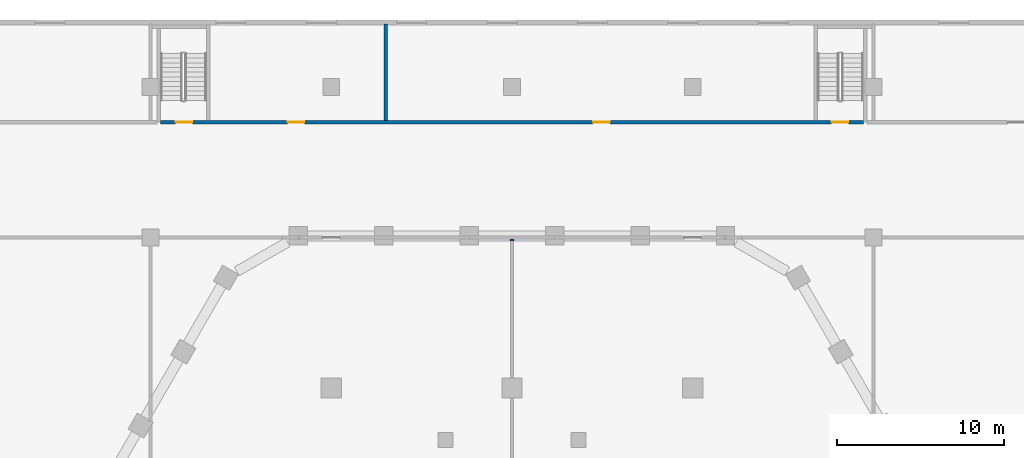
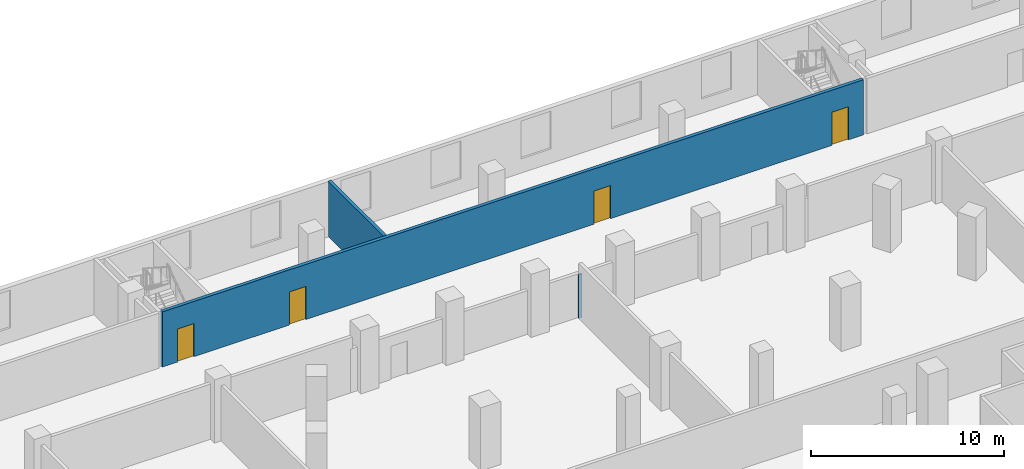
# One storey, part 19 of 45: 4 doors, 3 walls, 4 openings.
"""IFC4 building model written with IfcOpenShell, lengths in metres."""

import ifcopenshell
import ifcopenshell.guid

model = None  # the IFC model being written
_history = None  # IfcOwnerHistory: only IFC2X3 demands one
_inside = {}  # id of a spatial element -> (the spatial element, [elements in it])
_under = {}  # id of a project, library or spatial element -> (it, [spatial elements below it])
_declared = {}  # id of a project -> (the project, [libraries it declares])
_typed = {}  # id of a type object -> (the type object, [elements of that type])
_made_of = {}  # id of a material, layer set ... -> (it, [elements and type objects made of it])


def new_model(schema):
    """Start an empty IFC model of exactly this schema.

    Asked for "IFC4X3", IfcOpenShell would pick the latest addendum, in which some entities
    have other attributes; the version numbers below select the first issue.
    IFC2X3 requires an IfcOwnerHistory on every rooted entity: one is made here for all.
    """
    global model, _history
    if schema == "IFC4X3":
        model = ifcopenshell.file(schema_version=(4, 3, 0, 0))
    else:
        model = ifcopenshell.file(schema=schema)
    _inside.clear()
    _under.clear()
    _declared.clear()
    _typed.clear()
    _made_of.clear()
    _history = None
    if model.schema == "IFC2X3":
        org = make("IfcOrganization", Name="unknown")
        user = make(
            "IfcPersonAndOrganization",
            ThePerson=make("IfcPerson", FamilyName="unknown"),
            TheOrganization=org,
        )
        app = make(
            "IfcApplication",
            ApplicationDeveloper=org,
            Version="unknown",
            ApplicationFullName="unknown",
            ApplicationIdentifier="unknown",
        )
        _history = make(
            "IfcOwnerHistory",
            OwningUser=user,
            OwningApplication=app,
            ChangeAction="ADDED",
            CreationDate=0,
        )
    return model


def make(cls, **values):
    """One entity of the class cls with the attributes given. An attribute that is None is left unset."""
    return model.create_entity(
        cls, **{name: value for name, value in values.items() if value is not None}
    )


def rooted(cls, **values):
    """An entity with a GlobalId (a new one), such as an element, a storey or a relation."""
    return make(cls, GlobalId=ifcopenshell.guid.new(), OwnerHistory=_history, **values)


def si_unit(unit_type, name, prefix=None):
    """IfcSIUnit, for example si_unit("LENGTHUNIT", "METRE", prefix="MILLI")."""
    return make("IfcSIUnit", UnitType=unit_type, Prefix=prefix, Name=name)


def assignment(units):
    """IfcUnitAssignment: the units of a project."""
    return None if units is None else make("IfcUnitAssignment", Units=units)


def point(xyz):
    """IfcCartesianPoint."""
    return None if xyz is None else make("IfcCartesianPoint", Coordinates=xyz)


def direction(xyz):
    """IfcDirection."""
    return None if xyz is None else make("IfcDirection", DirectionRatios=xyz)


def frame(location, z_axis=None, x_axis=None):
    """IfcAxis2Placement3D, a coordinate frame: its origin and axes. An axis left out is left unset."""
    return make(
        "IfcAxis2Placement3D",
        Location=point(location),
        Axis=direction(z_axis),
        RefDirection=direction(x_axis),
    )


def frame_2d(location, x_axis=None):
    """IfcAxis2Placement2D, a coordinate frame in the plane: its origin and x axis."""
    return make(
        "IfcAxis2Placement2D", Location=point(location), RefDirection=direction(x_axis)
    )


def origin():
    """The frame at (0, 0, 0) with its axes left unset."""
    return frame((0.0, 0.0, 0.0))


def place(relative_to, where):
    """IfcLocalPlacement: puts the frame where relative to a parent placement (None: the world)."""
    return make(
        "IfcLocalPlacement", PlacementRelTo=relative_to, RelativePlacement=where
    )


def context(
    kind, dimensions, precision=None, world=None, true_north=None, identifier=None
):
    """IfcGeometricRepresentationContext, for example the 3D "Model" context."""
    return make(
        "IfcGeometricRepresentationContext",
        ContextIdentifier=identifier,
        ContextType=kind,
        CoordinateSpaceDimension=dimensions,
        Precision=precision,
        WorldCoordinateSystem=world,
        TrueNorth=true_north,
    )


def subcontext(parent, identifier, kind, view, scale=None):
    """IfcGeometricRepresentationSubContext, for example "Body" below "Model"."""
    return make(
        "IfcGeometricRepresentationSubContext",
        ContextIdentifier=identifier,
        ContextType=kind,
        ParentContext=parent,
        TargetScale=scale,
        TargetView=view,
    )


def project(units=None, contexts=None):
    """IfcProject with its units and contexts."""
    return rooted(
        "IfcProject",
        Name="project",
        RepresentationContexts=contexts,
        UnitsInContext=assignment(units),
    )


def spatial(cls, under=None, at=None, **own):
    """A site, building, storey or space (cls), placed at a placement, below another one or the project."""
    s = rooted(cls, ObjectPlacement=at, **own)
    if under is not None:
        _under.setdefault(under.id(), (under, []))[1].append(s)
    return s


def profile(cls, at=None, kind="AREA", **sizes):
    """A parametric profile (cls). Its sizes go by their IFC names, for example OverallWidth=200.0."""
    return make(cls, ProfileType=kind, Position=at, **sizes)


def rectangle(**sizes):
    """IfcRectangleProfileDef."""
    return profile("IfcRectangleProfileDef", **sizes)


def extrude(swept, where, along, depth):
    """IfcExtrudedAreaSolid: the profile swept, set in the frame where, extruded along a direction by depth."""
    return make(
        "IfcExtrudedAreaSolid",
        SweptArea=swept,
        Position=where,
        ExtrudedDirection=direction(along),
        Depth=depth,
    )


def shape(context_of_items, identifier, shape_type, items):
    """IfcShapeRepresentation: the items that make up one representation, for example the "Body"."""
    return make(
        "IfcShapeRepresentation",
        ContextOfItems=context_of_items,
        RepresentationIdentifier=identifier,
        RepresentationType=shape_type,
        Items=items,
    )


def material(Name=None, Category=None):
    """IfcMaterial."""
    return make("IfcMaterial", Name=Name, Category=Category)


def layer(
    of_material, thickness, ventilated=None, Name=None, Category=None, Priority=None
):
    """IfcMaterialLayer: one layer of a wall or slab, of a material (None: an air gap)."""
    return make(
        "IfcMaterialLayer",
        Material=of_material,
        LayerThickness=thickness,
        IsVentilated=ventilated,
        Name=Name,
        Category=Category,
        Priority=Priority,
    )


def layer_set(layers, Name=None):
    """IfcMaterialLayerSet."""
    return make("IfcMaterialLayerSet", MaterialLayers=layers, LayerSetName=Name)


def made_of(thing, what):
    """Note that an element or type object is made of a material, layer set ...; save() writes the relation."""
    if what is not None:
        _made_of.setdefault(what.id(), (what, []))[1].append(thing)
    return thing


def type_object(cls, material=None, **own):
    """A type object (cls), such as IfcWallType, which elements share."""
    return made_of(rooted(cls, **own), material)


def element(
    cls,
    number,
    at=None,
    inside=None,
    cuts=None,
    type_object=None,
    material=None,
    context=None,
    identifier="Body",
    shape_type=None,
    held_by="IfcProductDefinitionShape",
    body=None,
    shapes=None,
    **own,
):
    """One element of the class cls, such as IfcWall. Its Tag is "e" and its number.

    at: its placement. inside: the storey or other place that contains it. cuts: it is an
    opening in that element (IfcRelVoidsElement). A single representation is given by context,
    identifier, shape_type and body (its items); several are given by shapes. held_by: the class
    of the entity that holds the representations. save() writes the other relations.
    """
    e = rooted(cls, Tag="e%d" % number, ObjectPlacement=at, **own)
    if body is not None:
        shapes = [shape(context, identifier, shape_type, body)]
    if shapes is not None:
        e.Representation = make(held_by, Representations=shapes)
    if inside is not None:
        _inside.setdefault(inside.id(), (inside, []))[1].append(e)
    if cuts is not None:
        rooted(
            "IfcRelVoidsElement", RelatingBuildingElement=cuts, RelatedOpeningElement=e
        )
    if type_object is not None:
        _typed.setdefault(type_object.id(), (type_object, []))[1].append(e)
    return made_of(e, material)


def fill(opening, filler):
    """IfcRelFillsElement: the door or window that sits in an opening."""
    return rooted(
        "IfcRelFillsElement",
        RelatingOpeningElement=opening,
        RelatedBuildingElement=filler,
    )


def aggregate(whole, parts):
    """IfcRelAggregates: a whole, such as a stair, and the parts it consists of."""
    return rooted("IfcRelAggregates", RelatingObject=whole, RelatedObjects=parts)


def save(model, path):
    """Write the relations noted so far, then the file.

    IfcRelAggregates (storeys below a building ...), IfcRelContainedInSpatialStructure (elements
    in a storey), IfcRelDefinesByType, IfcRelAssociatesMaterial and IfcRelDeclares: one each for
    every whole, place, type object, material and project.
    """
    for whole, parts in _under.values():
        aggregate(whole, parts)
    for where, things in _inside.values():
        rooted(
            "IfcRelContainedInSpatialStructure",
            RelatedElements=things,
            RelatingStructure=where,
        )
    for kind, things in _typed.values():
        rooted("IfcRelDefinesByType", RelatedObjects=things, RelatingType=kind)
    for what, things in _made_of.values():
        rooted("IfcRelAssociatesMaterial", RelatedObjects=things, RelatingMaterial=what)
    for by, libraries in _declared.values():
        rooted("IfcRelDeclares", RelatingContext=by, RelatedDefinitions=libraries)
    model.write(path)


model = new_model("IFC4")

# Units and contexts
model_context = context("Model", 3, precision=1e-05, world=origin(), true_north=direction((0.0, 1.0)))
body_context = subcontext(model_context, "Body", "Model", "MODEL_VIEW")
ifc_project = project(units=[si_unit("LENGTHUNIT", "METRE"), si_unit("AREAUNIT", "SQUARE_METRE"), si_unit("VOLUMEUNIT", "CUBIC_METRE"), si_unit("PLANEANGLEUNIT", "RADIAN"), si_unit("MASSUNIT", "GRAM", prefix="KILO")], contexts=[model_context])

# Site, building, storey
site_placement = place(None, origin())
site = spatial("IfcSite", under=ifc_project, at=site_placement, CompositionType="ELEMENT")
building_placement = place(site_placement, origin())
building = spatial("IfcBuilding", under=site, at=building_placement, Name="Beryl Residences", CompositionType="ELEMENT")
storey_placement = place(building_placement, frame((0.0, 0.0, 5.0)))
storey = spatial("IfcBuildingStorey", under=building, at=storey_placement, Name="L01", CompositionType="ELEMENT", Elevation=5.0)

# Walls
ifc_material_1 = material(Name="Double stud gypsum board wall")
ifc_layer_1 = layer(ifc_material_1, 0.199951171875)
ifc_layer_set_1 = layer_set([ifc_layer_1], Name="PT10 tenancy wall 200 mm")
wall_type_1 = type_object("IfcWallType", Name="PT10 tenancy wall 200 mm", PredefinedType="PARTITIONING", material=ifc_layer_set_1)
wall_1_placement = place(storey_placement, frame((-7.550048828125, 34.0, 0.0), z_axis=(0.0, 0.0, 1.0), x_axis=(0.0, 1.0, 0.0)))
element("IfcWall", 1, at=wall_1_placement, inside=storey, type_object=wall_type_1, Name="Wall PT10 L01 042", PredefinedType="PARTITIONING", context=body_context, shape_type="SweptSolid", body=[
    extrude(rectangle(XDim=5.75, YDim=0.199951171875, at=frame_2d((2.875, 0.0))), origin(), (0.0, 0.0, 1.0), 3.5),
])
wall_2_placement = place(storey_placement, frame((0.0, 26.800048828125, 0.0), z_axis=(0.0, 0.0, 1.0), x_axis=(0.0, 1.0, 0.0)))
element("IfcWall", 2, at=wall_2_placement, inside=storey, type_object=wall_type_1, Name="Wall PT10 L01 044", PredefinedType="PARTITIONING", context=body_context, shape_type="SweptSolid", body=[
    extrude(rectangle(XDim=0.099853515625, YDim=0.199951171875, at=frame_2d((0.0498046875, 0.0))), origin(), (0.0, 0.0, 1.0), 2.77001953125),
])

# Wall, openings, doors
ifc_material_2 = material(Name="Concrete C40/50", Category="concrete")
ifc_layer_2 = layer(ifc_material_2, 0.199951171875)
ifc_layer_set_2 = layer_set([ifc_layer_2], Name="PT5 stair enclosure wall 200 mm reinforced concrete C40/50")
wall_type_2 = type_object("IfcWallType", Name="PT5 stair enclosure wall 200 mm reinforced concrete C40/50", PredefinedType="SOLIDWALL", material=ifc_layer_set_2)
wall_3_placement = place(storey_placement, frame((-21.0, 33.89990234375, 0.0), z_axis=(0.0, 0.0, 1.0), x_axis=(1.0, 0.0, 0.0)))
wall_3 = element("IfcWall", 3, at=wall_3_placement, inside=storey, type_object=wall_type_2, Name="Wall PT5 L01 011", PredefinedType="SOLIDWALL", context=body_context, shape_type="SweptSolid", body=[
    extrude(rectangle(XDim=42.0, YDim=0.199951171875, at=frame_2d((21.0, 0.0))), origin(), (0.0, 0.0, 1.0), 3.5),
])
opening_1_placement = place(wall_3_placement, frame((7.60009765625, 0.0, 0.0)))
opening_1 = element("IfcOpeningElement", 4, at=opening_1_placement, cuts=wall_3, Name="Opening L01-08", PredefinedType="OPENING", context=body_context, shape_type="SweptSolid", body=[
    extrude(rectangle(XDim=1.0, YDim=2.10009765625, at=frame_2d((0.5, 1.050048828125))), frame((0.0, 0.10986328125, 0.0), z_axis=(0.0, -1.0, 0.0), x_axis=(1.0, 0.0, 0.0)), (0.0, 0.0, 1.0), 0.219970703125),
])
opening_2_placement = place(wall_3_placement, frame((25.85009765625, 0.0, 0.0)))
opening_2 = element("IfcOpeningElement", 5, at=opening_2_placement, cuts=wall_3, Name="Opening L01-09", PredefinedType="OPENING", context=body_context, shape_type="SweptSolid", body=[
    extrude(rectangle(XDim=1.0, YDim=2.10009765625, at=frame_2d((0.5, 1.050048828125))), frame((0.0, 0.10986328125, 0.0), z_axis=(0.0, -1.0, 0.0), x_axis=(1.0, 0.0, 0.0)), (0.0, 0.0, 1.0), 0.219970703125),
])
opening_3_placement = place(wall_3_placement, frame((0.89306640625, 0.0, 0.0)))
opening_3 = element("IfcOpeningElement", 6, at=opening_3_placement, cuts=wall_3, Name="Opening L01-28", PredefinedType="OPENING", context=body_context, shape_type="SweptSolid", body=[
    extrude(rectangle(XDim=1.0, YDim=2.10009765625, at=frame_2d((0.5, 1.050048828125))), frame((0.0, 0.10986328125, 0.0), z_axis=(0.0, -1.0, 0.0), x_axis=(1.0, 0.0, 0.0)), (0.0, 0.0, 1.0), 0.219970703125),
])
opening_4_placement = place(wall_3_placement, frame((40.10693359375, 0.0, 0.0)))
opening_4 = element("IfcOpeningElement", 7, at=opening_4_placement, cuts=wall_3, Name="Opening L01-29", PredefinedType="OPENING", context=body_context, shape_type="SweptSolid", body=[
    extrude(rectangle(XDim=1.0, YDim=2.10009765625, at=frame_2d((0.5, 1.050048828125))), frame((0.0, 0.10986328125, 0.0), z_axis=(0.0, -1.0, 0.0), x_axis=(1.0, 0.0, 0.0)), (0.0, 0.0, 1.0), 0.219970703125),
])
ifc_material_3 = material(Name="Steel door leaf in steel frame", Category="steel")
door_type_1 = type_object("IfcDoorType", Name="D15 stair door 1000 x 2100 mm", OperationType="SINGLE_SWING_LEFT", PredefinedType="DOOR", material=ifc_material_3)
door_1_placement = place(opening_3_placement, origin())
door_1 = element("IfcDoor", 8, at=door_1_placement, inside=storey, type_object=door_type_1, Name="Door L01-28 L01 001", OperationType="SINGLE_SWING_RIGHT", OverallHeight=2.10009765625, OverallWidth=1.0, PredefinedType="DOOR", context=body_context, shape_type="SweptSolid", body=[
    extrude(rectangle(XDim=1.0, YDim=2.10009765625, at=frame_2d((0.5, 1.050048828125))), frame((0.0, 0.02490234375, 0.0), z_axis=(0.0, -1.0, 0.0), x_axis=(1.0, 0.0, 0.0)), (0.0, 0.0, 1.0), 0.050048828125),
])
fill(opening_3, door_1)
door_2_placement = place(opening_4_placement, origin())
door_2 = element("IfcDoor", 9, at=door_2_placement, inside=storey, type_object=door_type_1, Name="Door L01-29 L01 001", OperationType="SINGLE_SWING_LEFT", OverallHeight=2.10009765625, OverallWidth=1.0, PredefinedType="DOOR", context=body_context, shape_type="SweptSolid", body=[
    extrude(rectangle(XDim=1.0, YDim=2.10009765625, at=frame_2d((0.5, 1.050048828125))), frame((0.0, 0.02490234375, 0.0), z_axis=(0.0, -1.0, 0.0), x_axis=(1.0, 0.0, 0.0)), (0.0, 0.0, 1.0), 0.050048828125),
])
fill(opening_4, door_2)
ifc_material_4 = material(Name="Timber door leaf", Category="wood")
door_type_2 = type_object("IfcDoorType", Name="D9 corridor door 1000 x 2100 mm", OperationType="SINGLE_SWING_LEFT", PredefinedType="DOOR", material=ifc_material_4)
door_3_placement = place(opening_1_placement, origin())
door_3 = element("IfcDoor", 10, at=door_3_placement, inside=storey, type_object=door_type_2, Name="Door L01-08 L01 001", OperationType="SINGLE_SWING_RIGHT", OverallHeight=2.10009765625, OverallWidth=1.0, PredefinedType="DOOR", context=body_context, shape_type="SweptSolid", body=[
    extrude(rectangle(XDim=1.0, YDim=2.10009765625, at=frame_2d((0.5, 1.050048828125))), frame((0.0, 0.02490234375, 0.0), z_axis=(0.0, -1.0, 0.0), x_axis=(1.0, 0.0, 0.0)), (0.0, 0.0, 1.0), 0.050048828125),
])
fill(opening_1, door_3)
door_4_placement = place(opening_2_placement, origin())
door_4 = element("IfcDoor", 11, at=door_4_placement, inside=storey, type_object=door_type_2, Name="Door L01-09 L01 001", OperationType="SINGLE_SWING_LEFT", OverallHeight=2.10009765625, OverallWidth=1.0, PredefinedType="DOOR", context=body_context, shape_type="SweptSolid", body=[
    extrude(rectangle(XDim=1.0, YDim=2.10009765625, at=frame_2d((0.5, 1.050048828125))), frame((0.0, 0.02490234375, 0.0), z_axis=(0.0, -1.0, 0.0), x_axis=(1.0, 0.0, 0.0)), (0.0, 0.0, 1.0), 0.050048828125),
])
fill(opening_2, door_4)

save(model, "model.ifc")
